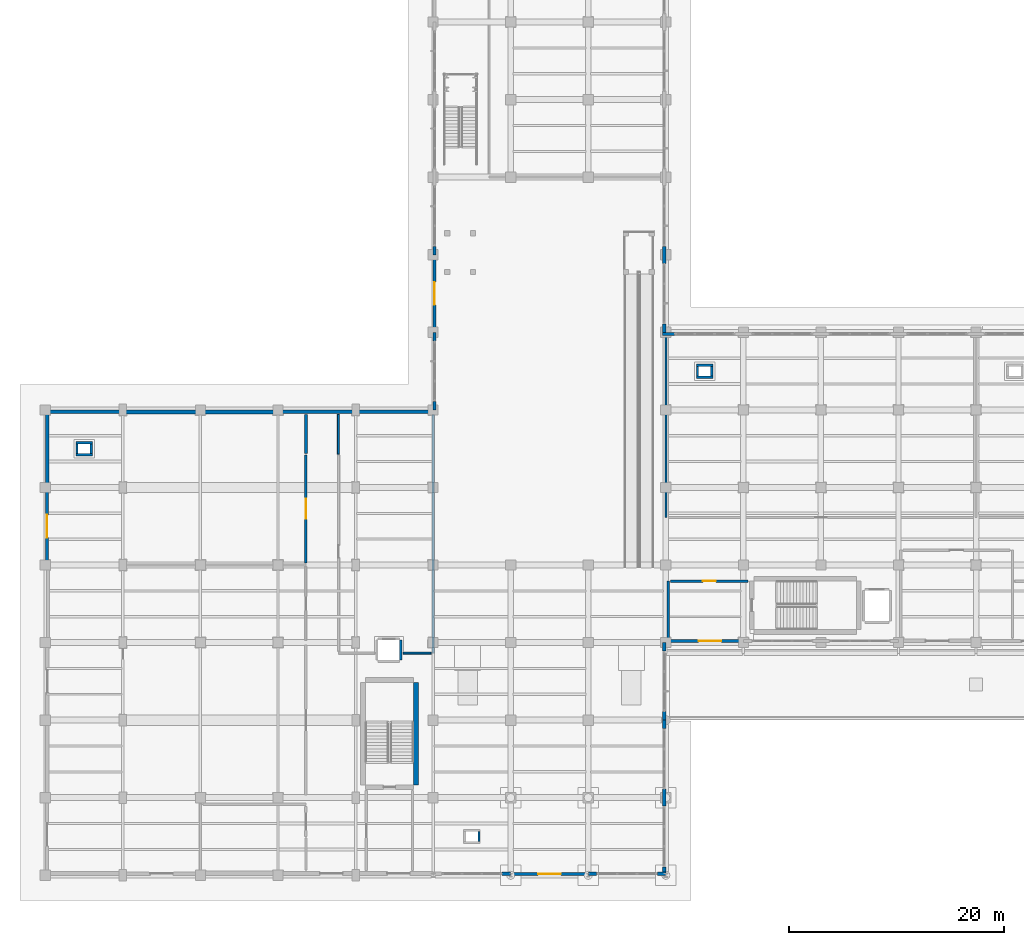
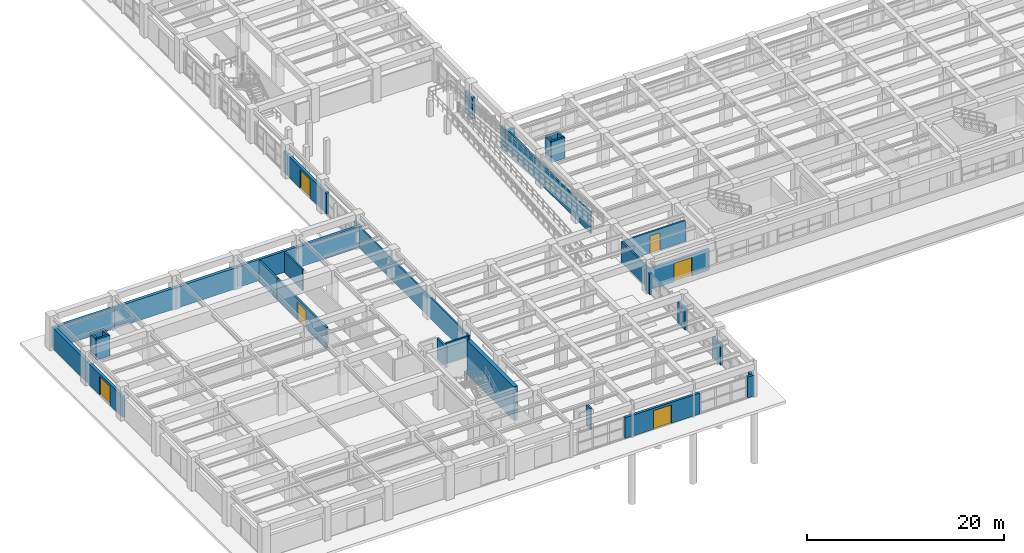
# One storey, part 41 of 64: 43 walls, 6 doors, 6 openings.
"""IFC4 building model written with IfcOpenShell, lengths in metres."""

from ifc_helpers import new_model, si_unit, direction, frame, frame_2d, origin, place, context, subcontext, project, spatial, rectangle, extrude, material, layer, layer_set, type_object, element, fill, save


model = new_model("IFC4")

# Units and contexts
model_context = context("Model", 3, precision=1e-05, world=origin(), true_north=direction((0.0, 1.0)))
body_context = subcontext(model_context, "Body", "Model", "MODEL_VIEW")
ifc_project = project(units=[si_unit("LENGTHUNIT", "METRE"), si_unit("AREAUNIT", "SQUARE_METRE"), si_unit("VOLUMEUNIT", "CUBIC_METRE"), si_unit("PLANEANGLEUNIT", "RADIAN"), si_unit("MASSUNIT", "GRAM", prefix="KILO")], contexts=[model_context])

# Site, building, storey
site_placement = place(None, origin())
site = spatial("IfcSite", under=ifc_project, at=site_placement, CompositionType="ELEMENT")
building_placement = place(site_placement, origin())
building = spatial("IfcBuilding", under=site, at=building_placement, Name="Solenvale Faculty of Natural Sciences", CompositionType="ELEMENT")
storey_placement = place(building_placement, origin())
storey = spatial("IfcBuildingStorey", under=building, at=storey_placement, Name="L00", CompositionType="ELEMENT", Elevation=0.0)

# Wall
ifc_material_1 = material(Name="Chazy limestone masonry", Category="masonry")
ifc_layer_1 = layer(ifc_material_1, 0.31494140625)
ifc_layer_set_1 = layer_set([ifc_layer_1], Name="Chazy limestone masonry")
wall_type_1 = type_object("IfcWallType", Name="WL-EXT-LIM-315", PredefinedType="STANDARD", material=ifc_layer_set_1)
wall_1_placement = place(storey_placement, frame((21.60009765625, 43.04248046875, 0.0), z_axis=(0.0, 0.0, 1.0), x_axis=(1.0, 0.0, 0.0)))
element("IfcWall", 1, at=wall_1_placement, inside=storey, type_object=wall_type_1, Name="L00 Exterior Wall 23.2", PredefinedType="STANDARD", context=body_context, shape_type="SweptSolid", body=[
    extrude(rectangle(XDim=7.199951171875, YDim=0.31494140625, at=frame_2d((3.60009765625, 0.0))), origin(), (0.0, 0.0, 1.0), 2.60009765625),
])

# Wall, opening, door
wall_2_placement = place(storey_placement, frame((0.157470703125, 28.800048828125, 0.0), z_axis=(0.0, 0.0, 1.0), x_axis=(0.0, 1.0, 0.0)))
wall_2 = element("IfcWall", 2, at=wall_2_placement, inside=storey, type_object=wall_type_1, Name="L00 Exterior Wall 24.2", PredefinedType="STANDARD", context=body_context, shape_type="SweptSolid", body=[
    extrude(rectangle(XDim=7.199951171875, YDim=0.31494140625, at=frame_2d((3.60009765625, 0.0))), origin(), (0.0, 0.0, 1.0), 2.60009765625),
])
opening_1_placement = place(wall_2_placement, frame((2.550048828125, 0.0, 0.0)))
opening_1 = element("IfcOpeningElement", 3, at=opening_1_placement, cuts=wall_2, Name="Opening EX-29", PredefinedType="OPENING", context=body_context, shape_type="SweptSolid", body=[
    extrude(rectangle(XDim=2.10009765625, YDim=2.300048828125, at=frame_2d((1.050048828125, 1.14990234375))), frame((0.0, 0.16748046875, 0.0), z_axis=(0.0, -1.0, 0.0), x_axis=(1.0, 0.0, 0.0)), (0.0, 0.0, 1.0), 0.3349609375),
])
ifc_material_2 = material(Name="Anodised bronze aluminium", Category="aluminium")
door_type_1 = type_object("IfcDoorType", Name="DR-EXT-2100x2300", OperationType="NOTDEFINED", PredefinedType="DOOR", material=ifc_material_2)
door_1_placement = place(opening_1_placement, origin())
door_1 = element("IfcDoor", 4, at=door_1_placement, inside=storey, type_object=door_type_1, Name="L00 Exterior Exit Door EX-29", OperationType="DOUBLE_DOOR_SINGLE_SWING", OverallHeight=2.300048828125, OverallWidth=2.10009765625, PredefinedType="DOOR", context=body_context, shape_type="SweptSolid", body=[
    extrude(rectangle(XDim=2.10009765625, YDim=2.300048828125, at=frame_2d((1.050048828125, 1.14990234375))), frame((0.0, 0.02490234375, 0.0), z_axis=(0.0, -1.0, 0.0), x_axis=(1.0, 0.0, 0.0)), (0.0, 0.0, 1.0), 0.050048828125),
])
fill(opening_1, door_1)

# Walls
ifc_layer_2 = layer(ifc_material_1, 0.340087890625)
ifc_layer_set_2 = layer_set([ifc_layer_2], Name="Chazy limestone masonry")
wall_type_2 = type_object("IfcWallType", Name="WL-EXT-LIM-340", PredefinedType="STANDARD", material=ifc_layer_set_2)
wall_3_placement = place(storey_placement, frame((28.800048828125, 43.030029296875, 0.0), z_axis=(0.0, 0.0, 1.0), x_axis=(1.0, 0.0, 0.0)))
element("IfcWall", 5, at=wall_3_placement, inside=storey, type_object=wall_type_2, Name="L00 Exterior Wall 23.1", PredefinedType="STANDARD", context=body_context, shape_type="SweptSolid", body=[
    extrude(rectangle(XDim=7.48486328125, YDim=0.340087890625, at=frame_2d((3.742431640625, 0.0))), origin(), (0.0, 0.0, 1.0), 2.60009765625),
])
wall_4_placement = place(storey_placement, frame((0.0, 43.030029296875, 0.0), z_axis=(0.0, 0.0, 1.0), x_axis=(1.0, 0.0, 0.0)))
element("IfcWall", 6, at=wall_4_placement, inside=storey, type_object=wall_type_2, Name="L00 Exterior Wall 23.5", PredefinedType="STANDARD", context=body_context, shape_type="SweptSolid", body=[
    extrude(rectangle(XDim=7.199951171875, YDim=0.340087890625, at=frame_2d((3.60009765625, 0.0))), origin(), (0.0, 0.0, 1.0), 2.60009765625),
])
wall_5_placement = place(storey_placement, frame((0.169921875, 36.0, 0.0), z_axis=(0.0, 0.0, 1.0), x_axis=(0.0, 1.0, 0.0)))
element("IfcWall", 7, at=wall_5_placement, inside=storey, type_object=wall_type_2, Name="L00 Exterior Wall 24.1", PredefinedType="STANDARD", context=body_context, shape_type="SweptSolid", body=[
    extrude(rectangle(XDim=6.860107421875, YDim=0.340087890625, at=frame_2d((3.43017578125, 0.0))), origin(), (0.0, 0.0, 1.0), 2.60009765625),
])
ifc_layer_3 = layer(ifc_material_1, 0.364990234375)
ifc_layer_set_3 = layer_set([ifc_layer_3], Name="Chazy limestone masonry")
wall_type_3 = type_object("IfcWallType", Name="WL-EXT-LIM-365", PredefinedType="STANDARD", material=ifc_layer_set_3)
wall_6_placement = place(storey_placement, frame((7.199951171875, 43.017578125, 0.0), z_axis=(0.0, 0.0, 1.0), x_axis=(1.0, 0.0, 0.0)))
element("IfcWall", 8, at=wall_6_placement, inside=storey, type_object=wall_type_3, Name="L00 Exterior Wall 23.4", PredefinedType="STANDARD", context=body_context, shape_type="SweptSolid", body=[
    extrude(rectangle(XDim=7.199951171875, YDim=0.364990234375, at=frame_2d((3.60009765625, 0.0))), origin(), (0.0, 0.0, 1.0), 2.60009765625),
])
ifc_layer_4 = layer(ifc_material_1, 0.389892578125)
ifc_layer_set_4 = layer_set([ifc_layer_4], Name="Chazy limestone masonry")
wall_type_4 = type_object("IfcWallType", Name="WL-EXT-LIM-390", PredefinedType="STANDARD", material=ifc_layer_set_4)
wall_7_placement = place(storey_placement, frame((14.39990234375, 43.0048828125, 0.0), z_axis=(0.0, 0.0, 1.0), x_axis=(1.0, 0.0, 0.0)))
element("IfcWall", 9, at=wall_7_placement, inside=storey, type_object=wall_type_4, Name="L00 Exterior Wall 23.3", PredefinedType="STANDARD", context=body_context, shape_type="SweptSolid", body=[
    extrude(rectangle(XDim=7.2001953125, YDim=0.389892578125, at=frame_2d((3.60009765625, 0.0))), origin(), (0.0, 0.0, 1.0), 2.60009765625),
])

# Wall, opening, door
ifc_material_3 = material(Name="Precast concrete 40 MPa", Category="concrete")
ifc_layer_5 = layer(ifc_material_3, 0.264892578125)
ifc_layer_set_5 = layer_set([ifc_layer_5], Name="Precast concrete 40 MPa")
wall_type_5 = type_object("IfcWallType", Name="WL-EXT-PRC-265", PredefinedType="STANDARD", material=ifc_layer_set_5)
wall_8_placement = place(storey_placement, frame((50.39990234375, 0.132568359375, 0.0), z_axis=(0.0, 0.0, 1.0), x_axis=(-1.0, 0.0, 0.0)))
wall_8 = element("IfcWall", 10, at=wall_8_placement, inside=storey, type_object=wall_type_5, Name="L00 Exterior Wall 26.2", PredefinedType="STANDARD", context=body_context, shape_type="SweptSolid", body=[
    extrude(rectangle(XDim=7.199951171875, YDim=0.264892578125, at=frame_2d((3.60009765625, 0.0))), origin(), (0.0, 0.0, 1.0), 2.60009765625),
])
opening_2_placement = place(wall_8_placement, frame((2.550048828125, 0.0, 0.0)))
opening_2 = element("IfcOpeningElement", 11, at=opening_2_placement, cuts=wall_8, Name="Opening EX-35", PredefinedType="OPENING", context=body_context, shape_type="SweptSolid", body=[
    extrude(rectangle(XDim=2.10009765625, YDim=2.300048828125, at=frame_2d((1.050048828125, 1.14990234375))), frame((0.0, 0.142333984375, 0.0), z_axis=(0.0, -1.0, 0.0), x_axis=(1.0, 0.0, 0.0)), (0.0, 0.0, 1.0), 0.284912109375),
])
door_2_placement = place(opening_2_placement, origin())
door_2 = element("IfcDoor", 12, at=door_2_placement, inside=storey, type_object=door_type_1, Name="L00 Exterior Exit Door EX-35", OperationType="DOUBLE_DOOR_SINGLE_SWING", OverallHeight=2.300048828125, OverallWidth=2.10009765625, PredefinedType="DOOR", context=body_context, shape_type="SweptSolid", body=[
    extrude(rectangle(XDim=2.10009765625, YDim=2.300048828125, at=frame_2d((1.050048828125, 1.14990234375))), frame((0.0, 0.02490234375, 0.0), z_axis=(0.0, -1.0, 0.0), x_axis=(1.0, 0.0, 0.0)), (0.0, 0.0, 1.0), 0.050048828125),
])
fill(opening_2, door_2)

# Walls
ifc_layer_6 = layer(ifc_material_3, 0.284912109375)
ifc_layer_set_6 = layer_set([ifc_layer_6], Name="Precast concrete 40 MPa")
wall_type_6 = type_object("IfcWallType", Name="WL-EXT-PRC-285", PredefinedType="STANDARD", material=ifc_layer_set_6)
wall_9_placement = place(storey_placement, frame((57.45751953125, 0.284912109375, 0.0), z_axis=(0.0, 0.0, 1.0), x_axis=(0.0, 1.0, 0.0)))
element("IfcWall", 13, at=wall_9_placement, inside=storey, type_object=wall_type_6, Name="L00 Facade Closure Pier 1.B1-L", PredefinedType="STANDARD", context=body_context, shape_type="SweptSolid", body=[
    extrude(rectangle(XDim=0.503173828125, YDim=0.284912109375, at=frame_2d((0.25146484375, 0.0))), origin(), (0.0, 0.0, 1.0), 2.60009765625),
])
wall_10_placement = place(storey_placement, frame((57.45751953125, 6.412109375, 0.0), z_axis=(0.0, 0.0, 1.0), x_axis=(0.0, 1.0, 0.0)))
element("IfcWall", 14, at=wall_10_placement, inside=storey, type_object=wall_type_6, Name="L00 Facade Closure Pier 1.B1-R", PredefinedType="STANDARD", context=body_context, shape_type="SweptSolid", body=[
    extrude(rectangle(XDim=1.575927734375, YDim=0.284912109375, at=frame_2d((0.7880859375, 0.0))), origin(), (0.0, 0.0, 1.0), 2.60009765625),
])
wall_11_placement = place(storey_placement, frame((57.45751953125, 13.612060546875, 0.0), z_axis=(0.0, 0.0, 1.0), x_axis=(0.0, 1.0, 0.0)))
element("IfcWall", 15, at=wall_11_placement, inside=storey, type_object=wall_type_6, Name="L00 Facade Closure Pier 1.B2-R", PredefinedType="STANDARD", context=body_context, shape_type="SweptSolid", body=[
    extrude(rectangle(XDim=0.787841796875, YDim=0.284912109375, at=frame_2d((0.39404296875, 0.0))), origin(), (0.0, 0.0, 1.0), 2.60009765625),
])
for number, where, z_axis, x_axis, name in (
    (16, (57.45751953125, 14.39990234375, 0.0), (0.0, 0.0, 1.0), (0.0, 1.0, 0.0), "L00 Facade Closure Pier 2.B1-L"),
    (17, (57.45751953125, 20.81201171875, 0.0), (0.0, 0.0, 1.0), (0.0, 1.0, 0.0), "L00 Facade Closure Pier 2.B1-R"),
):
    element("IfcWall", number, at=place(storey_placement, frame(where, z_axis=z_axis, x_axis=x_axis)), inside=storey, type_object=wall_type_6, Name=name, PredefinedType="STANDARD", context=body_context, shape_type="SweptSolid", body=[
        extrude(rectangle(XDim=0.7880859375, YDim=0.284912109375, at=frame_2d((0.39404296875, 0.0))), origin(), (0.0, 0.0, 1.0), 2.60009765625),
    ])

# Wall, opening, door
wall_12_placement = place(storey_placement, frame((64.800048828125, 21.742431640625, 0.0), z_axis=(0.0, 0.0, 1.0), x_axis=(-1.0, 0.0, 0.0)))
wall_12 = element("IfcWall", 18, at=wall_12_placement, inside=storey, type_object=wall_type_6, Name="L00 Exterior Wall 3.1", PredefinedType="STANDARD", context=body_context, shape_type="SweptSolid", body=[
    extrude(rectangle(XDim=7.485107421875, YDim=0.284912109375, at=frame_2d((3.74267578125, 0.0))), origin(), (0.0, 0.0, 1.0), 2.60009765625),
])
opening_3_placement = place(wall_12_placement, frame((2.049072265625, 0.0, 0.0)))
opening_3 = element("IfcOpeningElement", 19, at=opening_3_placement, cuts=wall_12, Name="Opening EX-01", PredefinedType="OPENING", context=body_context, shape_type="SweptSolid", body=[
    extrude(rectangle(XDim=2.10009765625, YDim=2.300048828125, at=frame_2d((1.050048828125, 1.14990234375))), frame((0.0, 0.15234375, 0.0), z_axis=(0.0, -1.0, 0.0), x_axis=(1.0, 0.0, 0.0)), (0.0, 0.0, 1.0), 0.304931640625),
])
door_3_placement = place(opening_3_placement, origin())
door_3 = element("IfcDoor", 20, at=door_3_placement, inside=storey, type_object=door_type_1, Name="L00 Exterior Exit Door EX-01", OperationType="DOUBLE_DOOR_SINGLE_SWING", OverallHeight=2.300048828125, OverallWidth=2.10009765625, PredefinedType="DOOR", context=body_context, shape_type="SweptSolid", body=[
    extrude(rectangle(XDim=2.10009765625, YDim=2.300048828125, at=frame_2d((1.050048828125, 1.14990234375))), frame((0.0, 0.02490234375, 0.0), z_axis=(0.0, -1.0, 0.0), x_axis=(1.0, 0.0, 0.0)), (0.0, 0.0, 1.0), 0.050048828125),
])
fill(opening_3, door_3)

# Walls
wall_13_placement = place(storey_placement, frame((58.387939453125, 50.257568359375, 0.0), z_axis=(0.0, 0.0, 1.0), x_axis=(-1.0, 0.0, 0.0)))
element("IfcWall", 21, at=wall_13_placement, inside=storey, type_object=wall_type_6, Name="L00 Facade Closure Pier 9.B8-R", PredefinedType="STANDARD", context=body_context, shape_type="SweptSolid", body=[
    extrude(rectangle(XDim=1.072998046875, YDim=0.284912109375, at=frame_2d((0.53662109375, 0.0))), origin(), (0.0, 0.0, 1.0), 2.60009765625),
])
wall_14_placement = place(storey_placement, frame((57.45751953125, 50.39990234375, 0.0), z_axis=(0.0, 0.0, 1.0), x_axis=(0.0, 1.0, 0.0)))
element("IfcWall", 22, at=wall_14_placement, inside=storey, type_object=wall_type_6, Name="L00 Facade Closure Pier 10.B1-L", PredefinedType="STANDARD", context=body_context, shape_type="SweptSolid", body=[
    extrude(rectangle(XDim=0.7880859375, YDim=0.284912109375, at=frame_2d((0.39404296875, 0.0))), origin(), (0.0, 0.0, 1.0), 2.60009765625),
])
wall_15_placement = place(storey_placement, frame((57.45751953125, 56.81201171875, 0.0), z_axis=(0.0, 0.0, 1.0), x_axis=(0.0, 1.0, 0.0)))
element("IfcWall", 23, at=wall_15_placement, inside=storey, type_object=wall_type_6, Name="L00 Facade Closure Pier 10.B1-R", PredefinedType="STANDARD", context=body_context, shape_type="SweptSolid", body=[
    extrude(rectangle(XDim=1.575927734375, YDim=0.284912109375, at=frame_2d((0.7880859375, 0.0))), origin(), (0.0, 0.0, 1.0), 2.60009765625),
])

# Wall, opening, door
wall_16_placement = place(storey_placement, frame((36.142578125, 50.39990234375, 0.0), z_axis=(0.0, 0.0, 1.0), x_axis=(0.0, 1.0, 0.0)))
wall_16 = element("IfcWall", 24, at=wall_16_placement, inside=storey, type_object=wall_type_6, Name="L00 Exterior Wall 22.6", PredefinedType="STANDARD", context=body_context, shape_type="SweptSolid", body=[
    extrude(rectangle(XDim=7.2001953125, YDim=0.284912109375, at=frame_2d((3.60009765625, 0.0))), origin(), (0.0, 0.0, 1.0), 2.60009765625),
])
opening_4_placement = place(wall_16_placement, frame((2.550048828125, 0.0, 0.0)))
opening_4 = element("IfcOpeningElement", 25, at=opening_4_placement, cuts=wall_16, Name="Opening EX-28", PredefinedType="OPENING", context=body_context, shape_type="SweptSolid", body=[
    extrude(rectangle(XDim=2.10009765625, YDim=2.300048828125, at=frame_2d((1.050048828125, 1.14990234375))), frame((0.0, 0.15234375, 0.0), z_axis=(0.0, -1.0, 0.0), x_axis=(1.0, 0.0, 0.0)), (0.0, 0.0, 1.0), 0.304931640625),
])
door_4_placement = place(opening_4_placement, origin())
door_4 = element("IfcDoor", 26, at=door_4_placement, inside=storey, type_object=door_type_1, Name="L00 Exterior Exit Door EX-28", OperationType="DOUBLE_DOOR_SINGLE_SWING", OverallHeight=2.300048828125, OverallWidth=2.10009765625, PredefinedType="DOOR", context=body_context, shape_type="SweptSolid", body=[
    extrude(rectangle(XDim=2.10009765625, YDim=2.300048828125, at=frame_2d((1.050048828125, 1.14990234375))), frame((0.0, 0.02490234375, 0.0), z_axis=(0.0, -1.0, 0.0), x_axis=(1.0, 0.0, 0.0)), (0.0, 0.0, 1.0), 0.050048828125),
])
fill(opening_4, door_4)

# Walls
for number, where, z_axis, x_axis, name in (
    (27, (36.142578125, 58.387939453125, 0.0), (0.0, 0.0, 1.0), (0.0, -1.0, 0.0), "L00 Facade Closure Pier 22.B5-R"),
    (28, (36.142578125, 50.39990234375, 0.0), (0.0, 0.0, 1.0), (0.0, -1.0, 0.0), "L00 Facade Closure Pier 22.B7-L"),
):
    element("IfcWall", number, at=place(storey_placement, frame(where, z_axis=z_axis, x_axis=x_axis)), inside=storey, type_object=wall_type_6, Name=name, PredefinedType="STANDARD", context=body_context, shape_type="SweptSolid", body=[
        extrude(rectangle(XDim=0.787841796875, YDim=0.284912109375, at=frame_2d((0.39404296875, 0.0))), origin(), (0.0, 0.0, 1.0), 2.60009765625),
    ])
wall_17_placement = place(storey_placement, frame((36.142578125, 43.988037109375, 0.0), z_axis=(0.0, 0.0, 1.0), x_axis=(0.0, -1.0, 0.0)))
element("IfcWall", 29, at=wall_17_placement, inside=storey, type_object=wall_type_6, Name="L00 Facade Closure Pier 22.B7-R", PredefinedType="STANDARD", context=body_context, shape_type="SweptSolid", body=[
    extrude(rectangle(XDim=0.7880859375, YDim=0.284912109375, at=frame_2d((0.39404296875, 0.0))), origin(), (0.0, 0.0, 1.0), 2.60009765625),
])
wall_18_placement = place(storey_placement, frame((42.412109375, 0.142578125, 0.0), z_axis=(0.0, 0.0, 1.0), x_axis=(1.0, 0.0, 0.0)))
element("IfcWall", 30, at=wall_18_placement, inside=storey, type_object=wall_type_6, Name="L00 Facade Closure Pier 26.B1-R", PredefinedType="STANDARD", context=body_context, shape_type="SweptSolid", body=[
    extrude(rectangle(XDim=0.787841796875, YDim=0.284912109375, at=frame_2d((0.39404296875, 0.0))), origin(), (0.0, 0.0, 1.0), 2.60009765625),
])
for number, where, z_axis, x_axis, name in (
    (31, (50.39990234375, 0.142578125, 0.0), (0.0, 0.0, 1.0), (1.0, 0.0, 0.0), "L00 Facade Closure Pier 26.B3-L"),
    (32, (56.81201171875, 0.142578125, 0.0), (0.0, 0.0, 1.0), (1.0, 0.0, 0.0), "L00 Facade Closure Pier 26.B3-R"),
):
    element("IfcWall", number, at=place(storey_placement, frame(where, z_axis=z_axis, x_axis=x_axis)), inside=storey, type_object=wall_type_6, Name=name, PredefinedType="STANDARD", context=body_context, shape_type="SweptSolid", body=[
        extrude(rectangle(XDim=0.7880859375, YDim=0.284912109375, at=frame_2d((0.39404296875, 0.0))), origin(), (0.0, 0.0, 1.0), 2.60009765625),
    ])
ifc_material_4 = material(Name="Gypsum fire-rated shaftwall")
ifc_layer_7 = layer(ifc_material_4, 0.205078125)
ifc_layer_set_7 = layer_set([ifc_layer_7], Name="Gypsum fire-rated shaftwall")
wall_type_7 = type_object("IfcWallType", Name="WL-FFL-205", PredefinedType="PARTITIONING", material=ifc_layer_set_7)
wall_19_placement = place(storey_placement, frame((57.820068359375, 21.9990234375, 0.0), z_axis=(0.0, 0.0, 1.0), x_axis=(0.0, 1.0, 0.0)))
element("IfcWall", 33, at=wall_19_placement, inside=storey, type_object=wall_type_7, Name="L00 Protected Exit Vestibule ST-03 Partition 3", PredefinedType="PARTITIONING", context=body_context, shape_type="SweptSolid", body=[
    extrude(rectangle(XDim=5.301025390625, YDim=0.205078125, at=frame_2d((2.650390625, 0.0))), origin(), (0.0, 0.0, 1.0), 2.60009765625),
])

# Wall, opening, door
wall_20_placement = place(storey_placement, frame((58.037109375, 27.300048828125, 0.0), z_axis=(0.0, 0.0, 1.0), x_axis=(1.0, 0.0, 0.0)))
wall_20 = element("IfcWall", 34, at=wall_20_placement, inside=storey, type_object=wall_type_7, Name="L00 Protected Exit Vestibule ST-03 Partition 4", PredefinedType="PARTITIONING", context=body_context, shape_type="SweptSolid", body=[
    extrude(rectangle(XDim=7.2080078125, YDim=0.205078125, at=frame_2d((3.60400390625, 0.0))), origin(), (0.0, 0.0, 1.0), 2.60009765625),
])
opening_5_placement = place(wall_20_placement, frame((3.00390625, 0.0, 0.0)))
opening_5 = element("IfcOpeningElement", 35, at=opening_5_placement, cuts=wall_20, Name="Opening D-L00-30", PredefinedType="OPENING", context=body_context, shape_type="SweptSolid", body=[
    extrude(rectangle(XDim=1.199951171875, YDim=2.14990234375, at=frame_2d((0.60009765625, 1.074951171875))), frame((0.0, 0.112548828125, 0.0), z_axis=(0.0, -1.0, 0.0), x_axis=(1.0, 0.0, 0.0)), (0.0, 0.0, 1.0), 0.22509765625),
])
ifc_material_5 = material(Name="Galvanised steel S355", Category="steel")
door_type_2 = type_object("IfcDoorType", Name="DR-FFL-1200x2150", OperationType="NOTDEFINED", PredefinedType="DOOR", material=ifc_material_5)
door_5_placement = place(opening_5_placement, origin())
door_5 = element("IfcDoor", 36, at=door_5_placement, inside=storey, type_object=door_type_2, Name="L00 Protected Exit Vestibule ST-03 Door", OperationType="SINGLE_SWING_RIGHT", OverallHeight=2.14990234375, OverallWidth=1.199951171875, PredefinedType="DOOR", context=body_context, shape_type="SweptSolid", body=[
    extrude(rectangle(XDim=1.199951171875, YDim=2.14990234375, at=frame_2d((0.60009765625, 1.074951171875))), frame((0.0, 0.02490234375, 0.0), z_axis=(0.0, -1.0, 0.0), x_axis=(1.0, 0.0, 0.0)), (0.0, 0.0, 1.0), 0.050048828125),
])
fill(opening_5, door_5)

ifc_material_6 = material(Name="High-STC auditorium acoustic wall")
ifc_layer_8 = layer(ifc_material_6, 0.235107421875)
ifc_layer_set_8 = layer_set([ifc_layer_8], Name="High-STC auditorium acoustic wall")
wall_type_8 = type_object("IfcWallType", Name="WL-HALL-235", PredefinedType="PARTITIONING", material=ifc_layer_set_8)
wall_21_placement = place(storey_placement, frame((24.179931640625, 39.0, 0.0), z_axis=(0.0, 0.0, 1.0), x_axis=(0.0, -1.0, 0.0)))
wall_21 = element("IfcWall", 37, at=wall_21_placement, inside=storey, type_object=wall_type_8, Name="L00 Lecture Theatre Partition 16", PredefinedType="PARTITIONING", context=body_context, shape_type="SweptSolid", body=[
    extrude(rectangle(XDim=9.992919921875, YDim=0.235107421875, at=frame_2d((4.99658203125, 0.0))), origin(), (0.0, 0.0, 1.0), 2.60009765625),
])
opening_6_placement = place(wall_21_placement, frame((4.071044921875, 0.0, 0.0)))
opening_6 = element("IfcOpeningElement", 38, at=opening_6_placement, cuts=wall_21, Name="Opening D-L00-07", PredefinedType="OPENING", context=body_context, shape_type="SweptSolid", body=[
    extrude(rectangle(XDim=1.85009765625, YDim=2.25, at=frame_2d((0.925048828125, 1.125))), frame((0.0, 0.12744140625, 0.0), z_axis=(0.0, -1.0, 0.0), x_axis=(1.0, 0.0, 0.0)), (0.0, 0.0, 1.0), 0.255126953125),
])
ifc_material_7 = material(Name="Oak acoustic timber leaf", Category="wood")
door_type_3 = type_object("IfcDoorType", Name="DR-HALL-1850x2250", OperationType="NOTDEFINED", PredefinedType="DOOR", material=ifc_material_7)
door_6_placement = place(opening_6_placement, origin())
door_6 = element("IfcDoor", 39, at=door_6_placement, inside=storey, type_object=door_type_3, Name="L00 Lecture Theatre Door", OperationType="SINGLE_SWING_LEFT", OverallHeight=2.25, OverallWidth=1.85009765625, PredefinedType="DOOR", context=body_context, shape_type="SweptSolid", body=[
    extrude(rectangle(XDim=1.85009765625, YDim=2.25, at=frame_2d((0.925048828125, 1.125))), frame((0.0, 0.02490234375, 0.0), z_axis=(0.0, -1.0, 0.0), x_axis=(1.0, 0.0, 0.0)), (0.0, 0.0, 1.0), 0.050048828125),
])
fill(opening_6, door_6)

# Walls
wall_22_placement = place(storey_placement, frame((24.199951171875, 42.7548828125, 0.0), z_axis=(0.0, 0.0, 1.0), x_axis=(0.0, -1.0, 0.0)))
element("IfcWall", 40, at=wall_22_placement, inside=storey, type_object=wall_type_8, Name="L00 Lecture Theatre Partition 20", PredefinedType="PARTITIONING", context=body_context, shape_type="SweptSolid", body=[
    extrude(rectangle(XDim=3.625, YDim=0.235107421875, at=frame_2d((1.8125, 0.0))), origin(), (0.0, 0.0, 1.0), 2.60009765625),
])
ifc_material_8 = material(Name="Acoustic double-stud gypsum partition")
ifc_layer_9 = layer(ifc_material_8, 0.1650390625)
ifc_layer_set_9 = layer_set([ifc_layer_9], Name="Acoustic double-stud gypsum partition")
wall_type_9 = type_object("IfcWallType", Name="WL-SEM-165", PredefinedType="PARTITIONING", material=ifc_layer_set_9)
wall_23_placement = place(storey_placement, frame((57.6201171875, 33.219970703125, 0.0), z_axis=(0.0, 0.0, 1.0), x_axis=(0.0, 1.0, 0.0)))
element("IfcWall", 41, at=wall_23_placement, inside=storey, type_object=wall_type_9, Name="L00 Seminar Room Partition 1", PredefinedType="PARTITIONING", context=body_context, shape_type="SweptSolid", body=[
    extrude(rectangle(XDim=16.801025390625, YDim=0.1650390625, at=frame_2d((8.400390625, 0.0))), origin(), (0.0, 0.0, 1.0), 2.60009765625),
])
ifc_layer_10 = layer(ifc_material_8, 0.179931640625)
ifc_layer_set_10 = layer_set([ifc_layer_10], Name="Acoustic double-stud gypsum partition")
wall_type_10 = type_object("IfcWallType", Name="WL-SEM-180", PredefinedType="PARTITIONING", material=ifc_layer_set_10)
wall_24_placement = place(storey_placement, frame((27.199951171875, 39.10205078125, 0.0), z_axis=(0.0, 0.0, 1.0), x_axis=(0.0, 1.0, 0.0)))
element("IfcWall", 42, at=wall_24_placement, inside=storey, type_object=wall_type_10, Name="L00 Academic Seminar Room Partition 54", PredefinedType="PARTITIONING", context=body_context, shape_type="SweptSolid", body=[
    extrude(rectangle(XDim=3.680908203125, YDim=0.179931640625, at=frame_2d((1.84033203125, 0.0))), origin(), (0.0, 0.0, 1.0), 2.60009765625),
])
wall_25_placement = place(storey_placement, frame((36.0, 42.758056640625, 0.0), z_axis=(0.0, 0.0, 1.0), x_axis=(0.0, -1.0, 0.0)))
element("IfcWall", 43, at=wall_25_placement, inside=storey, type_object=wall_type_10, Name="L00 Academic Seminar Room Partition 56", PredefinedType="PARTITIONING", context=body_context, shape_type="SweptSolid", body=[
    extrude(rectangle(XDim=22.137939453125, YDim=0.179931640625, at=frame_2d((11.06884765625, 0.0))), origin(), (0.0, 0.0, 1.0), 2.60009765625),
])
wall_26_placement = place(storey_placement, frame((35.80810546875, 20.6201171875, 0.0), z_axis=(0.0, 0.0, 1.0), x_axis=(-1.0, 0.0, 0.0)))
element("IfcWall", 44, at=wall_26_placement, inside=storey, type_object=wall_type_10, Name="L00 Academic Seminar Room Partition 57", PredefinedType="PARTITIONING", context=body_context, shape_type="SweptSolid", body=[
    extrude(rectangle(XDim=2.5830078125, YDim=0.179931640625, at=frame_2d((1.29150390625, 0.0))), origin(), (0.0, 0.0, 1.0), 2.60009765625),
])
ifc_material_9 = material(Name="Concrete 40 MPa", Category="concrete")
ifc_layer_11 = layer(ifc_material_9, 0.219970703125)
ifc_layer_set_11 = layer_set([ifc_layer_11], Name="Concrete 40 MPa")
wall_type_11 = type_object("IfcWallType", Name="WL-SHF-220", PredefinedType="STANDARD", material=ifc_layer_set_11)
wall_27_placement = place(storey_placement, frame((33.0048828125, 19.97998046875, 0.0), z_axis=(0.0, 0.0, 1.0), x_axis=(0.0, 1.0, 0.0)))
element("IfcWall", 45, at=wall_27_placement, inside=storey, type_object=wall_type_11, Name="Elevator LP-01 L00 Shaft Wall E", PredefinedType="STANDARD", context=body_context, shape_type="SweptSolid", body=[
    extrude(rectangle(XDim=1.840087890625, YDim=0.219970703125, at=frame_2d((0.919921875, 0.0))), origin(), (0.0, 0.0, 1.0), 2.60009765625),
])
wall_28_placement = place(storey_placement, frame((40.260009765625, 3.14990234375, 0.0), z_axis=(0.0, 0.0, 1.0), x_axis=(0.0, 1.0, 0.0)))
element("IfcWall", 46, at=wall_28_placement, inside=storey, type_object=wall_type_11, Name="L00 Service Riser Shaft 1 Wall E", PredefinedType="STANDARD", context=body_context, shape_type="SweptSolid", body=[
    extrude(rectangle(XDim=0.900146484375, YDim=0.219970703125, at=frame_2d((0.4501953125, 0.0))), origin(), (0.0, 0.0, 1.0), 2.60009765625),
])
for number, where, z_axis, x_axis, name in (
    (47, (2.830078125, 39.0400390625, 0.0), (0.0, 0.0, 1.0), (1.0, 0.0, 0.0), "L00 Service Riser Shaft 2 Wall S"),
    (48, (2.830078125, 40.159912109375, 0.0), (0.0, 0.0, 1.0), (1.0, 0.0, 0.0), "L00 Service Riser Shaft 2 Wall N"),
):
    element("IfcWall", number, at=place(storey_placement, frame(where, z_axis=z_axis, x_axis=x_axis)), inside=storey, type_object=wall_type_11, Name=name, PredefinedType="STANDARD", context=body_context, shape_type="SweptSolid", body=[
        extrude(rectangle(XDim=1.5400390625, YDim=0.219970703125, at=frame_2d((0.77001953125, 0.0))), origin(), (0.0, 0.0, 1.0), 2.60009765625),
    ])
for number, where, z_axis, x_axis, name in (
    (49, (2.93994140625, 39.14990234375, 0.0), (0.0, 0.0, 1.0), (0.0, 1.0, 0.0), "L00 Service Riser Shaft 2 Wall W"),
    (50, (4.260009765625, 39.14990234375, 0.0), (0.0, 0.0, 1.0), (0.0, 1.0, 0.0), "L00 Service Riser Shaft 2 Wall E"),
):
    element("IfcWall", number, at=place(storey_placement, frame(where, z_axis=z_axis, x_axis=x_axis)), inside=storey, type_object=wall_type_11, Name=name, PredefinedType="STANDARD", context=body_context, shape_type="SweptSolid", body=[
        extrude(rectangle(XDim=0.900146484375, YDim=0.219970703125, at=frame_2d((0.4501953125, 0.0))), origin(), (0.0, 0.0, 1.0), 2.60009765625),
    ])
for number, where, z_axis, x_axis, name in (
    (51, (60.429931640625, 46.239990234375, 0.0), (0.0, 0.0, 1.0), (1.0, 0.0, 0.0), "L00 Service Riser Shaft 5 Wall S"),
    (52, (60.429931640625, 47.360107421875, 0.0), (0.0, 0.0, 1.0), (1.0, 0.0, 0.0), "L00 Service Riser Shaft 5 Wall N"),
):
    element("IfcWall", number, at=place(storey_placement, frame(where, z_axis=z_axis, x_axis=x_axis)), inside=storey, type_object=wall_type_11, Name=name, PredefinedType="STANDARD", context=body_context, shape_type="SweptSolid", body=[
        extrude(rectangle(XDim=1.5400390625, YDim=0.219970703125, at=frame_2d((0.77001953125, 0.0))), origin(), (0.0, 0.0, 1.0), 2.60009765625),
    ])
for number, where, z_axis, x_axis, name in (
    (53, (60.5400390625, 46.35009765625, 0.0), (0.0, 0.0, 1.0), (0.0, 1.0, 0.0), "L00 Service Riser Shaft 5 Wall W"),
    (54, (61.860107421875, 46.35009765625, 0.0), (0.0, 0.0, 1.0), (0.0, 1.0, 0.0), "L00 Service Riser Shaft 5 Wall E"),
):
    element("IfcWall", number, at=place(storey_placement, frame(where, z_axis=z_axis, x_axis=x_axis)), inside=storey, type_object=wall_type_11, Name=name, PredefinedType="STANDARD", context=body_context, shape_type="SweptSolid", body=[
        extrude(rectangle(XDim=0.89990234375, YDim=0.219970703125, at=frame_2d((0.449951171875, 0.0))), origin(), (0.0, 0.0, 1.0), 2.60009765625),
    ])
ifc_material_10 = material(Name="Concrete 50 MPa", Category="concrete")
ifc_layer_12 = layer(ifc_material_10, 0.43994140625)
ifc_layer_set_12 = layer_set([ifc_layer_12], Name="Concrete 50 MPa")
wall_type_12 = type_object("IfcWallType", Name="WL-SHR-440", PredefinedType="SHEAR", material=ifc_layer_set_12)
wall_29_placement = place(storey_placement, frame((34.419921875, 8.39990234375, 0.0), z_axis=(0.0, 0.0, 1.0), x_axis=(0.0, 1.0, 0.0)))
element("IfcWall", 55, at=wall_29_placement, inside=storey, type_object=wall_type_12, Name="Core C1 L00 Shear Wall E", PredefinedType="SHEAR", context=body_context, shape_type="SweptSolid", body=[
    extrude(rectangle(XDim=9.5, YDim=0.43994140625, at=frame_2d((4.75, 0.0))), origin(), (0.0, 0.0, 1.0), 4.219970703125),
])

save(model, "model.ifc")
